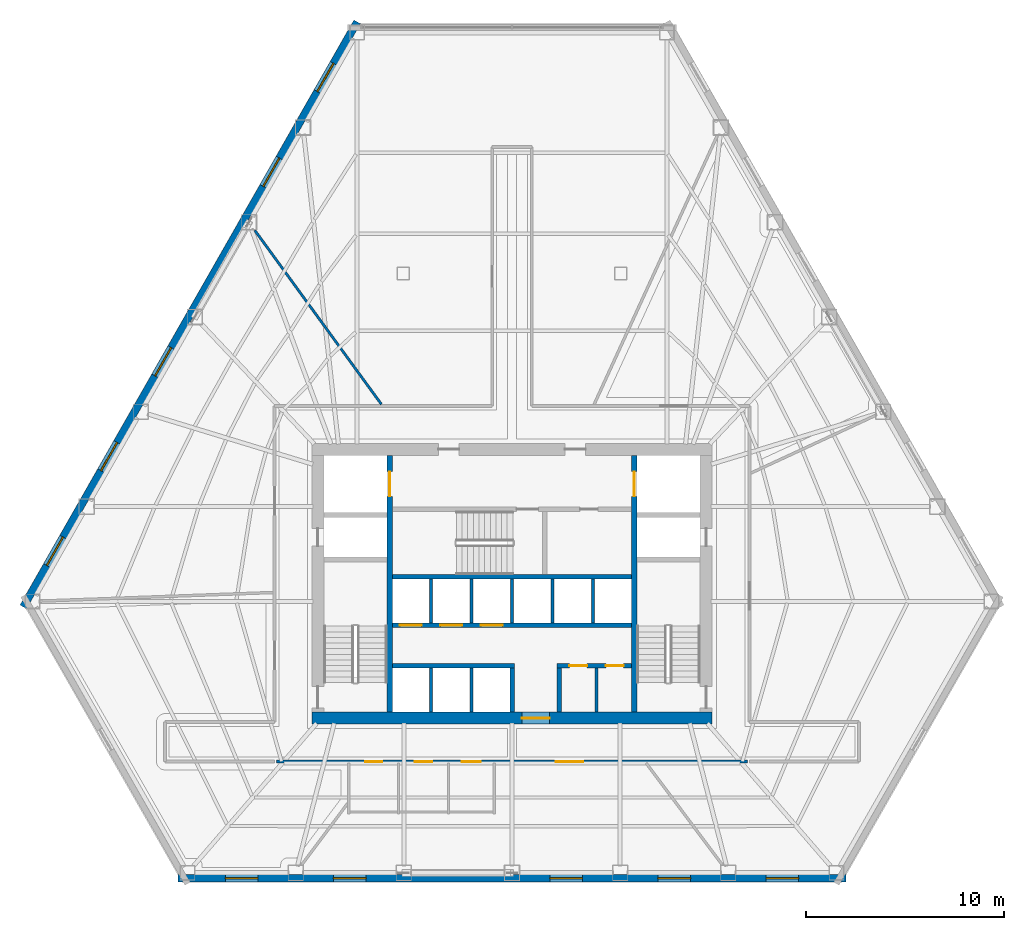
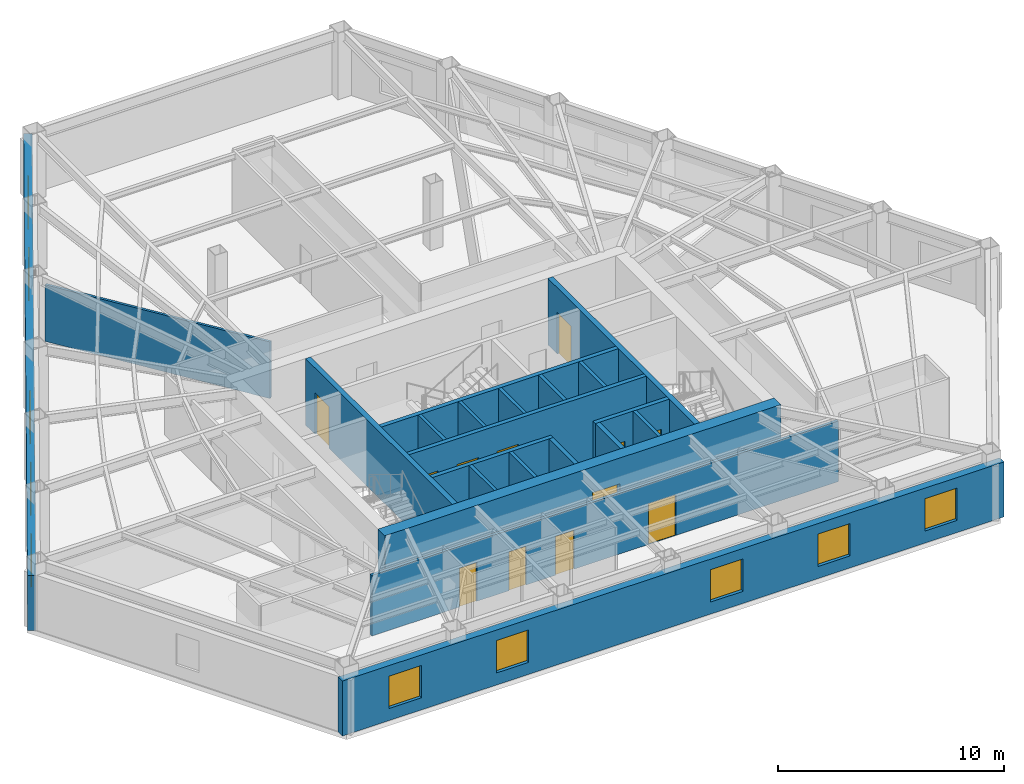
# One storey, part 7 of 12: 21 walls, 12 doors, 10 windows, 22 openings.
"""IFC4 building model written with IfcOpenShell, lengths in metres."""

import ifcopenshell
import ifcopenshell.guid

model = None  # the IFC model being written
_history = None  # IfcOwnerHistory: only IFC2X3 demands one
_inside = {}  # id of a spatial element -> (the spatial element, [elements in it])
_under = {}  # id of a project, library or spatial element -> (it, [spatial elements below it])
_declared = {}  # id of a project -> (the project, [libraries it declares])
_typed = {}  # id of a type object -> (the type object, [elements of that type])
_made_of = {}  # id of a material, layer set ... -> (it, [elements and type objects made of it])


def new_model(schema):
    """Start an empty IFC model of exactly this schema.

    Asked for "IFC4X3", IfcOpenShell would pick the latest addendum, in which some entities
    have other attributes; the version numbers below select the first issue.
    IFC2X3 requires an IfcOwnerHistory on every rooted entity: one is made here for all.
    """
    global model, _history
    if schema == "IFC4X3":
        model = ifcopenshell.file(schema_version=(4, 3, 0, 0))
    else:
        model = ifcopenshell.file(schema=schema)
    _inside.clear()
    _under.clear()
    _declared.clear()
    _typed.clear()
    _made_of.clear()
    _history = None
    if model.schema == "IFC2X3":
        org = make("IfcOrganization", Name="unknown")
        user = make(
            "IfcPersonAndOrganization",
            ThePerson=make("IfcPerson", FamilyName="unknown"),
            TheOrganization=org,
        )
        app = make(
            "IfcApplication",
            ApplicationDeveloper=org,
            Version="unknown",
            ApplicationFullName="unknown",
            ApplicationIdentifier="unknown",
        )
        _history = make(
            "IfcOwnerHistory",
            OwningUser=user,
            OwningApplication=app,
            ChangeAction="ADDED",
            CreationDate=0,
        )
    return model


def make(cls, **values):
    """One entity of the class cls with the attributes given. An attribute that is None is left unset."""
    return model.create_entity(
        cls, **{name: value for name, value in values.items() if value is not None}
    )


def rooted(cls, **values):
    """An entity with a GlobalId (a new one), such as an element, a storey or a relation."""
    return make(cls, GlobalId=ifcopenshell.guid.new(), OwnerHistory=_history, **values)


def si_unit(unit_type, name, prefix=None):
    """IfcSIUnit, for example si_unit("LENGTHUNIT", "METRE", prefix="MILLI")."""
    return make("IfcSIUnit", UnitType=unit_type, Prefix=prefix, Name=name)


def assignment(units):
    """IfcUnitAssignment: the units of a project."""
    return None if units is None else make("IfcUnitAssignment", Units=units)


def point(xyz):
    """IfcCartesianPoint."""
    return None if xyz is None else make("IfcCartesianPoint", Coordinates=xyz)


def direction(xyz):
    """IfcDirection."""
    return None if xyz is None else make("IfcDirection", DirectionRatios=xyz)


def frame(location, z_axis=None, x_axis=None):
    """IfcAxis2Placement3D, a coordinate frame: its origin and axes. An axis left out is left unset."""
    return make(
        "IfcAxis2Placement3D",
        Location=point(location),
        Axis=direction(z_axis),
        RefDirection=direction(x_axis),
    )


def frame_2d(location, x_axis=None):
    """IfcAxis2Placement2D, a coordinate frame in the plane: its origin and x axis."""
    return make(
        "IfcAxis2Placement2D", Location=point(location), RefDirection=direction(x_axis)
    )


def origin():
    """The frame at (0, 0, 0) with its axes left unset."""
    return frame((0.0, 0.0, 0.0))


def place(relative_to, where):
    """IfcLocalPlacement: puts the frame where relative to a parent placement (None: the world)."""
    return make(
        "IfcLocalPlacement", PlacementRelTo=relative_to, RelativePlacement=where
    )


def context(
    kind, dimensions, precision=None, world=None, true_north=None, identifier=None
):
    """IfcGeometricRepresentationContext, for example the 3D "Model" context."""
    return make(
        "IfcGeometricRepresentationContext",
        ContextIdentifier=identifier,
        ContextType=kind,
        CoordinateSpaceDimension=dimensions,
        Precision=precision,
        WorldCoordinateSystem=world,
        TrueNorth=true_north,
    )


def subcontext(parent, identifier, kind, view, scale=None):
    """IfcGeometricRepresentationSubContext, for example "Body" below "Model"."""
    return make(
        "IfcGeometricRepresentationSubContext",
        ContextIdentifier=identifier,
        ContextType=kind,
        ParentContext=parent,
        TargetScale=scale,
        TargetView=view,
    )


def project(units=None, contexts=None):
    """IfcProject with its units and contexts."""
    return rooted(
        "IfcProject",
        Name="project",
        RepresentationContexts=contexts,
        UnitsInContext=assignment(units),
    )


def spatial(cls, under=None, at=None, **own):
    """A site, building, storey or space (cls), placed at a placement, below another one or the project."""
    s = rooted(cls, ObjectPlacement=at, **own)
    if under is not None:
        _under.setdefault(under.id(), (under, []))[1].append(s)
    return s


def profile(cls, at=None, kind="AREA", **sizes):
    """A parametric profile (cls). Its sizes go by their IFC names, for example OverallWidth=200.0."""
    return make(cls, ProfileType=kind, Position=at, **sizes)


def rectangle(**sizes):
    """IfcRectangleProfileDef."""
    return profile("IfcRectangleProfileDef", **sizes)


def extrude(swept, where, along, depth):
    """IfcExtrudedAreaSolid: the profile swept, set in the frame where, extruded along a direction by depth."""
    return make(
        "IfcExtrudedAreaSolid",
        SweptArea=swept,
        Position=where,
        ExtrudedDirection=direction(along),
        Depth=depth,
    )


def shape(context_of_items, identifier, shape_type, items):
    """IfcShapeRepresentation: the items that make up one representation, for example the "Body"."""
    return make(
        "IfcShapeRepresentation",
        ContextOfItems=context_of_items,
        RepresentationIdentifier=identifier,
        RepresentationType=shape_type,
        Items=items,
    )


def material(Name=None, Category=None):
    """IfcMaterial."""
    return make("IfcMaterial", Name=Name, Category=Category)


def layer(
    of_material, thickness, ventilated=None, Name=None, Category=None, Priority=None
):
    """IfcMaterialLayer: one layer of a wall or slab, of a material (None: an air gap)."""
    return make(
        "IfcMaterialLayer",
        Material=of_material,
        LayerThickness=thickness,
        IsVentilated=ventilated,
        Name=Name,
        Category=Category,
        Priority=Priority,
    )


def layer_set(layers, Name=None):
    """IfcMaterialLayerSet."""
    return make("IfcMaterialLayerSet", MaterialLayers=layers, LayerSetName=Name)


def made_of(thing, what):
    """Note that an element or type object is made of a material, layer set ...; save() writes the relation."""
    if what is not None:
        _made_of.setdefault(what.id(), (what, []))[1].append(thing)
    return thing


def type_object(cls, material=None, **own):
    """A type object (cls), such as IfcWallType, which elements share."""
    return made_of(rooted(cls, **own), material)


def element(
    cls,
    number,
    at=None,
    inside=None,
    cuts=None,
    type_object=None,
    material=None,
    context=None,
    identifier="Body",
    shape_type=None,
    held_by="IfcProductDefinitionShape",
    body=None,
    shapes=None,
    **own,
):
    """One element of the class cls, such as IfcWall. Its Tag is "e" and its number.

    at: its placement. inside: the storey or other place that contains it. cuts: it is an
    opening in that element (IfcRelVoidsElement). A single representation is given by context,
    identifier, shape_type and body (its items); several are given by shapes. held_by: the class
    of the entity that holds the representations. save() writes the other relations.
    """
    e = rooted(cls, Tag="e%d" % number, ObjectPlacement=at, **own)
    if body is not None:
        shapes = [shape(context, identifier, shape_type, body)]
    if shapes is not None:
        e.Representation = make(held_by, Representations=shapes)
    if inside is not None:
        _inside.setdefault(inside.id(), (inside, []))[1].append(e)
    if cuts is not None:
        rooted(
            "IfcRelVoidsElement", RelatingBuildingElement=cuts, RelatedOpeningElement=e
        )
    if type_object is not None:
        _typed.setdefault(type_object.id(), (type_object, []))[1].append(e)
    return made_of(e, material)


def fill(opening, filler):
    """IfcRelFillsElement: the door or window that sits in an opening."""
    return rooted(
        "IfcRelFillsElement",
        RelatingOpeningElement=opening,
        RelatedBuildingElement=filler,
    )


def aggregate(whole, parts):
    """IfcRelAggregates: a whole, such as a stair, and the parts it consists of."""
    return rooted("IfcRelAggregates", RelatingObject=whole, RelatedObjects=parts)


def save(model, path):
    """Write the relations noted so far, then the file.

    IfcRelAggregates (storeys below a building ...), IfcRelContainedInSpatialStructure (elements
    in a storey), IfcRelDefinesByType, IfcRelAssociatesMaterial and IfcRelDeclares: one each for
    every whole, place, type object, material and project.
    """
    for whole, parts in _under.values():
        aggregate(whole, parts)
    for where, things in _inside.values():
        rooted(
            "IfcRelContainedInSpatialStructure",
            RelatedElements=things,
            RelatingStructure=where,
        )
    for kind, things in _typed.values():
        rooted("IfcRelDefinesByType", RelatedObjects=things, RelatingType=kind)
    for what, things in _made_of.values():
        rooted("IfcRelAssociatesMaterial", RelatedObjects=things, RelatingMaterial=what)
    for by, libraries in _declared.values():
        rooted("IfcRelDeclares", RelatingContext=by, RelatedDefinitions=libraries)
    model.write(path)


model = new_model("IFC4")

# Units and contexts
model_context = context("Model", 3, precision=1e-05, world=origin(), true_north=direction((0.0, 1.0)))
body_context = subcontext(model_context, "Body", "Model", "MODEL_VIEW")
ifc_project = project(units=[si_unit("LENGTHUNIT", "METRE"), si_unit("AREAUNIT", "SQUARE_METRE"), si_unit("VOLUMEUNIT", "CUBIC_METRE"), si_unit("PLANEANGLEUNIT", "RADIAN"), si_unit("MASSUNIT", "GRAM", prefix="KILO")], contexts=[model_context])

# Site, building, storey
site_placement = place(None, origin())
site = spatial("IfcSite", under=ifc_project, at=site_placement, CompositionType="ELEMENT")
building_placement = place(site_placement, origin())
building = spatial("IfcBuilding", under=site, at=building_placement, Name="Kavelnor Concourse Tower", CompositionType="ELEMENT")
storey_placement = place(building_placement, frame((0.0, 0.0, 21.39990234375)))
storey = spatial("IfcBuildingStorey", under=building, at=storey_placement, Name="L05", CompositionType="ELEMENT", Elevation=21.39990234375)

# Wall, opening, door
ifc_material_1 = material(Name="Concrete C60/75", Category="concrete")
ifc_layer_1 = layer(ifc_material_1, 0.60009765625, Name="Concrete C60/75")
ifc_layer_set_1 = layer_set([ifc_layer_1], Name="Concrete C60/75")
wall_type_1 = type_object("IfcWallType", Name="WL-CORE-Z1-600", PredefinedType="SOLIDWALL", material=ifc_layer_set_1)
wall_1_placement = place(storey_placement, frame((27.8798828125, 9.300048828125, 0.0), z_axis=(0.0, 0.0, 1.0), x_axis=(1.0, 0.0, 0.0)))
wall_1 = element("IfcWall", 1, at=wall_1_placement, inside=storey, type_object=wall_type_1, Name="L05 Central Core South Shear Wall", PredefinedType="SOLIDWALL", context=body_context, shape_type="SweptSolid", body=[
    extrude(rectangle(XDim=20.240234375, YDim=0.60009765625, at=frame_2d((10.1201171875, 0.0))), origin(), (0.0, 0.0, 1.0), 3.590087890625),
])
opening_1_placement = place(wall_1_placement, frame((10.6201171875, 0.0, 0.0)))
opening_1 = element("IfcOpeningElement", 2, at=opening_1_placement, cuts=wall_1, Name="Opening SD-140", PredefinedType="OPENING", context=body_context, shape_type="SweptSolid", body=[
    extrude(rectangle(XDim=1.39990234375, YDim=2.199951171875, at=frame_2d((0.699951171875, 1.10009765625))), frame((0.0, 0.31005859375, 0.0), z_axis=(0.0, -1.0, 0.0), x_axis=(1.0, 0.0, 0.0)), (0.0, 0.0, 1.0), 0.6201171875),
])
ifc_material_2 = material(Name="Solid-core hardwood timber", Category="wood")
door_type_1 = type_object("IfcDoorType", Name="DR-SUITE-ENTRY-1400", OperationType="NOTDEFINED", PredefinedType="DOOR", material=ifc_material_2)
door_1_placement = place(opening_1_placement, origin())
door_1 = element("IfcDoor", 3, at=door_1_placement, inside=storey, type_object=door_type_1, Name="L05 Passenger Lift Lobby Entry Door", OperationType="SINGLE_SWING_RIGHT", OverallHeight=2.199951171875, OverallWidth=1.39990234375, PredefinedType="DOOR", context=body_context, shape_type="SweptSolid", body=[
    extrude(rectangle(XDim=1.39990234375, YDim=2.199951171875, at=frame_2d((0.699951171875, 1.10009765625))), frame((0.0, 0.02490234375, 0.0), z_axis=(0.0, -1.0, 0.0), x_axis=(1.0, 0.0, 0.0)), (0.0, 0.0, 1.0), 0.050048828125),
])
fill(opening_1, door_1)

# Wall, openings, windows
ifc_material_3 = material(Name="Red-ochre clay face brick masonry", Category="masonry")
ifc_layer_2 = layer(ifc_material_3, 0.3798828125, Name="Red-ochre clay face brick masonry")
ifc_layer_set_2 = layer_set([ifc_layer_2], Name="Red-ochre clay face brick masonry")
wall_type_2 = type_object("IfcWallType", Name="WL-EXT-RED-BRICK-PIER-380", PredefinedType="STANDARD", material=ifc_layer_set_2)
wall_2_placement = place(storey_placement, frame((13.26318359375, 14.928466796875, 0.0), z_axis=(0.0, 0.0, 1.0), x_axis=(0.495711630902, 0.868487178367, 0.0)))
wall_2 = element("IfcWall", 4, at=wall_2_placement, inside=storey, type_object=wall_type_2, Name="L05 Exterior Brick Facade Wall E1", PredefinedType="STANDARD", context=body_context, shape_type="SweptSolid", body=[
    extrude(rectangle(XDim=34.09228515625, YDim=0.3798828125, at=frame_2d((17.046142578125, 0.0))), origin(), (0.0, 0.0, 1.0), 2.97021484375),
])
opening_2_placement = place(wall_2_placement, frame((30.02685546875, 0.0, 0.64990234375)))
opening_2 = element("IfcOpeningElement", 5, at=opening_2_placement, cuts=wall_2, Name="Opening W-01", PredefinedType="OPENING", context=body_context, shape_type="SweptSolid", body=[
    extrude(rectangle(XDim=1.64990234375, YDim=1.75, at=frame_2d((0.824951171875, 0.875))), frame((0.0, 0.199951171875, 0.0), z_axis=(0.0, -1.0, 0.0), x_axis=(1.0, 0.0, 0.0)), (0.0, 0.0, 1.0), 0.39990234375),
])
opening_3_placement = place(wall_2_placement, frame((24.503662109375, 0.0, 0.64990234375)))
opening_3 = element("IfcOpeningElement", 6, at=opening_3_placement, cuts=wall_2, Name="Opening W-01", PredefinedType="OPENING", context=body_context, shape_type="SweptSolid", body=[
    extrude(rectangle(XDim=1.64990234375, YDim=1.75, at=frame_2d((0.824951171875, 0.875))), frame((0.0, 0.199951171875, 0.0), z_axis=(0.0, -1.0, 0.0), x_axis=(1.0, 0.0, 0.0)), (0.0, 0.0, 1.0), 0.39990234375),
])
opening_4_placement = place(wall_2_placement, frame((13.45703125, 0.0, 0.64990234375)))
opening_4 = element("IfcOpeningElement", 7, at=opening_4_placement, cuts=wall_2, Name="Opening W-01", PredefinedType="OPENING", context=body_context, shape_type="SweptSolid", body=[
    extrude(rectangle(XDim=1.64990234375, YDim=1.75, at=frame_2d((0.824951171875, 0.875))), frame((0.0, 0.199951171875, 0.0), z_axis=(0.0, -1.0, 0.0), x_axis=(1.0, 0.0, 0.0)), (0.0, 0.0, 1.0), 0.39990234375),
])
opening_5_placement = place(wall_2_placement, frame((7.933837890625, 0.0, 0.64990234375)))
opening_5 = element("IfcOpeningElement", 8, at=opening_5_placement, cuts=wall_2, Name="Opening W-01", PredefinedType="OPENING", context=body_context, shape_type="SweptSolid", body=[
    extrude(rectangle(XDim=1.64990234375, YDim=1.75, at=frame_2d((0.824951171875, 0.875))), frame((0.0, 0.199951171875, 0.0), z_axis=(0.0, -1.0, 0.0), x_axis=(1.0, 0.0, 0.0)), (0.0, 0.0, 1.0), 0.39990234375),
])
opening_6_placement = place(wall_2_placement, frame((2.41064453125, 0.0, 0.64990234375)))
opening_6 = element("IfcOpeningElement", 9, at=opening_6_placement, cuts=wall_2, Name="Opening W-01", PredefinedType="OPENING", context=body_context, shape_type="SweptSolid", body=[
    extrude(rectangle(XDim=1.64990234375, YDim=1.75, at=frame_2d((0.824951171875, 0.875))), frame((0.0, 0.199951171875, 0.0), z_axis=(0.0, -1.0, 0.0), x_axis=(1.0, 0.0, 0.0)), (0.0, 0.0, 1.0), 0.39990234375),
])
ifc_material_4 = material(Name="Double low-E argon insulated glazing", Category="glass")
window_type = type_object("IfcWindowType", Name="WIN-PIER-Z1-1800", PartitioningType="SINGLE_PANEL", PredefinedType="WINDOW", material=ifc_material_4)
window_1_placement = place(opening_2_placement, origin())
window_1 = element("IfcWindow", 10, at=window_1_placement, inside=storey, type_object=window_type, Name="L05 Deep-Set Brick Pier Window F0-B0", OverallHeight=1.75, OverallWidth=1.64990234375, PartitioningType="SINGLE_PANEL", PredefinedType="WINDOW", context=body_context, shape_type="SweptSolid", body=[
    extrude(rectangle(XDim=1.64990234375, YDim=1.75, at=frame_2d((0.824951171875, 0.875))), frame((0.0, 0.030029296875, 0.0), z_axis=(0.0, -1.0, 0.0), x_axis=(1.0, 0.0, 0.0)), (0.0, 0.0, 1.0), 0.06005859375),
])
fill(opening_2, window_1)
window_2_placement = place(opening_3_placement, origin())
window_2 = element("IfcWindow", 11, at=window_2_placement, inside=storey, type_object=window_type, Name="L05 Deep-Set Brick Pier Window F0-B1", OverallHeight=1.75, OverallWidth=1.64990234375, PartitioningType="SINGLE_PANEL", PredefinedType="WINDOW", context=body_context, shape_type="SweptSolid", body=[
    extrude(rectangle(XDim=1.64990234375, YDim=1.75, at=frame_2d((0.824951171875, 0.875))), frame((0.0, 0.030029296875, 0.0), z_axis=(0.0, -1.0, 0.0), x_axis=(1.0, 0.0, 0.0)), (0.0, 0.0, 1.0), 0.06005859375),
])
fill(opening_3, window_2)
window_3_placement = place(opening_4_placement, origin())
window_3 = element("IfcWindow", 12, at=window_3_placement, inside=storey, type_object=window_type, Name="L05 Deep-Set Brick Pier Window F0-B3", OverallHeight=1.75, OverallWidth=1.64990234375, PartitioningType="SINGLE_PANEL", PredefinedType="WINDOW", context=body_context, shape_type="SweptSolid", body=[
    extrude(rectangle(XDim=1.64990234375, YDim=1.75, at=frame_2d((0.824951171875, 0.875))), frame((0.0, 0.030029296875, 0.0), z_axis=(0.0, -1.0, 0.0), x_axis=(1.0, 0.0, 0.0)), (0.0, 0.0, 1.0), 0.06005859375),
])
fill(opening_4, window_3)
window_4_placement = place(opening_5_placement, origin())
window_4 = element("IfcWindow", 13, at=window_4_placement, inside=storey, type_object=window_type, Name="L05 Deep-Set Brick Pier Window F0-B4", OverallHeight=1.75, OverallWidth=1.64990234375, PartitioningType="SINGLE_PANEL", PredefinedType="WINDOW", context=body_context, shape_type="SweptSolid", body=[
    extrude(rectangle(XDim=1.64990234375, YDim=1.75, at=frame_2d((0.824951171875, 0.875))), frame((0.0, 0.030029296875, 0.0), z_axis=(0.0, -1.0, 0.0), x_axis=(1.0, 0.0, 0.0)), (0.0, 0.0, 1.0), 0.06005859375),
])
fill(opening_5, window_4)
window_5_placement = place(opening_6_placement, origin())
window_5 = element("IfcWindow", 14, at=window_5_placement, inside=storey, type_object=window_type, Name="L05 Deep-Set Brick Pier Window F0-B5", OverallHeight=1.75, OverallWidth=1.64990234375, PartitioningType="SINGLE_PANEL", PredefinedType="WINDOW", context=body_context, shape_type="SweptSolid", body=[
    extrude(rectangle(XDim=1.64990234375, YDim=1.75, at=frame_2d((0.824951171875, 0.875))), frame((0.0, 0.030029296875, 0.0), z_axis=(0.0, -1.0, 0.0), x_axis=(1.0, 0.0, 0.0)), (0.0, 0.0, 1.0), 0.06005859375),
])
fill(opening_6, window_5)

wall_3_placement = place(storey_placement, frame((54.90185546875, 1.19287109375, 0.0), z_axis=(0.0, 0.0, 1.0), x_axis=(-1.0, 0.0, 0.0)))
wall_3 = element("IfcWall", 15, at=wall_3_placement, inside=storey, type_object=wall_type_2, Name="L05 Exterior Brick Facade Wall E3", PredefinedType="STANDARD", context=body_context, shape_type="SweptSolid", body=[
    extrude(rectangle(XDim=33.8037109375, YDim=0.3798828125, at=frame_2d((16.90185546875, 0.0))), origin(), (0.0, 0.0, 1.0), 2.97021484375),
])
opening_7_placement = place(wall_3_placement, frame((29.7626953125, 0.0, 0.64990234375)))
opening_7 = element("IfcOpeningElement", 16, at=opening_7_placement, cuts=wall_3, Name="Opening W-01", PredefinedType="OPENING", context=body_context, shape_type="SweptSolid", body=[
    extrude(rectangle(XDim=1.64990234375, YDim=1.75, at=frame_2d((0.824951171875, 0.875))), frame((0.0, 0.199951171875, 0.0), z_axis=(0.0, -1.0, 0.0), x_axis=(1.0, 0.0, 0.0)), (0.0, 0.0, 1.0), 0.39990234375),
])
opening_8_placement = place(wall_3_placement, frame((24.288330078125, 0.0, 0.64990234375)))
opening_8 = element("IfcOpeningElement", 17, at=opening_8_placement, cuts=wall_3, Name="Opening W-01", PredefinedType="OPENING", context=body_context, shape_type="SweptSolid", body=[
    extrude(rectangle(XDim=1.64990234375, YDim=1.75, at=frame_2d((0.824951171875, 0.875))), frame((0.0, 0.199951171875, 0.0), z_axis=(0.0, -1.0, 0.0), x_axis=(1.0, 0.0, 0.0)), (0.0, 0.0, 1.0), 0.39990234375),
])
opening_9_placement = place(wall_3_placement, frame((13.339599609375, 0.0, 0.64990234375)))
opening_9 = element("IfcOpeningElement", 18, at=opening_9_placement, cuts=wall_3, Name="Opening W-01", PredefinedType="OPENING", context=body_context, shape_type="SweptSolid", body=[
    extrude(rectangle(XDim=1.64990234375, YDim=1.75, at=frame_2d((0.824951171875, 0.875))), frame((0.0, 0.199951171875, 0.0), z_axis=(0.0, -1.0, 0.0), x_axis=(1.0, 0.0, 0.0)), (0.0, 0.0, 1.0), 0.39990234375),
])
opening_10_placement = place(wall_3_placement, frame((7.865234375, 0.0, 0.64990234375)))
opening_10 = element("IfcOpeningElement", 19, at=opening_10_placement, cuts=wall_3, Name="Opening W-01", PredefinedType="OPENING", context=body_context, shape_type="SweptSolid", body=[
    extrude(rectangle(XDim=1.64990234375, YDim=1.75, at=frame_2d((0.824951171875, 0.875))), frame((0.0, 0.199951171875, 0.0), z_axis=(0.0, -1.0, 0.0), x_axis=(1.0, 0.0, 0.0)), (0.0, 0.0, 1.0), 0.39990234375),
])
opening_11_placement = place(wall_3_placement, frame((2.390869140625, 0.0, 0.64990234375)))
opening_11 = element("IfcOpeningElement", 20, at=opening_11_placement, cuts=wall_3, Name="Opening W-01", PredefinedType="OPENING", context=body_context, shape_type="SweptSolid", body=[
    extrude(rectangle(XDim=1.64990234375, YDim=1.75, at=frame_2d((0.824951171875, 0.875))), frame((0.0, 0.199951171875, 0.0), z_axis=(0.0, -1.0, 0.0), x_axis=(1.0, 0.0, 0.0)), (0.0, 0.0, 1.0), 0.39990234375),
])
window_6_placement = place(opening_7_placement, origin())
window_6 = element("IfcWindow", 21, at=window_6_placement, inside=storey, type_object=window_type, Name="L05 Deep-Set Brick Pier Window F1-B0", OverallHeight=1.75, OverallWidth=1.64990234375, PartitioningType="SINGLE_PANEL", PredefinedType="WINDOW", context=body_context, shape_type="SweptSolid", body=[
    extrude(rectangle(XDim=1.64990234375, YDim=1.75, at=frame_2d((0.824951171875, 0.875))), frame((0.0, 0.030029296875, 0.0), z_axis=(0.0, -1.0, 0.0), x_axis=(1.0, 0.0, 0.0)), (0.0, 0.0, 1.0), 0.06005859375),
])
fill(opening_7, window_6)
window_7_placement = place(opening_8_placement, origin())
window_7 = element("IfcWindow", 22, at=window_7_placement, inside=storey, type_object=window_type, Name="L05 Deep-Set Brick Pier Window F1-B1", OverallHeight=1.75, OverallWidth=1.64990234375, PartitioningType="SINGLE_PANEL", PredefinedType="WINDOW", context=body_context, shape_type="SweptSolid", body=[
    extrude(rectangle(XDim=1.64990234375, YDim=1.75, at=frame_2d((0.824951171875, 0.875))), frame((0.0, 0.030029296875, 0.0), z_axis=(0.0, -1.0, 0.0), x_axis=(1.0, 0.0, 0.0)), (0.0, 0.0, 1.0), 0.06005859375),
])
fill(opening_8, window_7)
window_8_placement = place(opening_9_placement, origin())
window_8 = element("IfcWindow", 23, at=window_8_placement, inside=storey, type_object=window_type, Name="L05 Deep-Set Brick Pier Window F1-B3", OverallHeight=1.75, OverallWidth=1.64990234375, PartitioningType="SINGLE_PANEL", PredefinedType="WINDOW", context=body_context, shape_type="SweptSolid", body=[
    extrude(rectangle(XDim=1.64990234375, YDim=1.75, at=frame_2d((0.824951171875, 0.875))), frame((0.0, 0.030029296875, 0.0), z_axis=(0.0, -1.0, 0.0), x_axis=(1.0, 0.0, 0.0)), (0.0, 0.0, 1.0), 0.06005859375),
])
fill(opening_9, window_8)
window_9_placement = place(opening_10_placement, origin())
window_9 = element("IfcWindow", 24, at=window_9_placement, inside=storey, type_object=window_type, Name="L05 Deep-Set Brick Pier Window F1-B4", OverallHeight=1.75, OverallWidth=1.64990234375, PartitioningType="SINGLE_PANEL", PredefinedType="WINDOW", context=body_context, shape_type="SweptSolid", body=[
    extrude(rectangle(XDim=1.64990234375, YDim=1.75, at=frame_2d((0.824951171875, 0.875))), frame((0.0, 0.030029296875, 0.0), z_axis=(0.0, -1.0, 0.0), x_axis=(1.0, 0.0, 0.0)), (0.0, 0.0, 1.0), 0.06005859375),
])
fill(opening_10, window_9)
window_10_placement = place(opening_11_placement, origin())
window_10 = element("IfcWindow", 25, at=window_10_placement, inside=storey, type_object=window_type, Name="L05 Deep-Set Brick Pier Window F1-B5", OverallHeight=1.75, OverallWidth=1.64990234375, PartitioningType="SINGLE_PANEL", PredefinedType="WINDOW", context=body_context, shape_type="SweptSolid", body=[
    extrude(rectangle(XDim=1.64990234375, YDim=1.75, at=frame_2d((0.824951171875, 0.875))), frame((0.0, 0.030029296875, 0.0), z_axis=(0.0, -1.0, 0.0), x_axis=(1.0, 0.0, 0.0)), (0.0, 0.0, 1.0), 0.06005859375),
])
fill(opening_11, window_10)

# Wall, openings, doors
ifc_material_5 = material(Name="Gypsum plasterboard on light-gauge steel studs", Category="steel")
ifc_layer_3 = layer(ifc_material_5, 0.14501953125, Name="Gypsum plasterboard on light-gauge steel studs")
ifc_layer_set_3 = layer_set([ifc_layer_3], Name="Gypsum plasterboard on light-gauge steel studs")
wall_type_3 = type_object("IfcWallType", Name="WL-INT-CORR-145", PredefinedType="PARTITIONING", material=ifc_layer_set_3)
wall_4_placement = place(storey_placement, frame((49.919921875, 7.10009765625, 0.0), z_axis=(0.0, 0.0, 1.0), x_axis=(-1.0, 0.0, 0.0)))
wall_4 = element("IfcWall", 26, at=wall_4_placement, inside=storey, type_object=wall_type_3, Name="L05 Corridor Wall WL-L05-CR-12", PredefinedType="PARTITIONING", context=body_context, shape_type="SweptSolid", body=[
    extrude(rectangle(XDim=23.83984375, YDim=0.14501953125, at=frame_2d((11.919921875, 0.0))), origin(), (0.0, 0.0, 1.0), 3.278076171875),
])
opening_12_placement = place(wall_4_placement, frame((18.47998046875, 0.0, 0.0)))
opening_12 = element("IfcOpeningElement", 27, at=opening_12_placement, cuts=wall_4, Name="Opening WD-088", PredefinedType="OPENING", context=body_context, shape_type="SweptSolid", body=[
    extrude(rectangle(XDim=0.8798828125, YDim=2.10009765625, at=frame_2d((0.43994140625, 1.050048828125))), frame((0.0, 0.08251953125, 0.0), z_axis=(0.0, -1.0, 0.0), x_axis=(1.0, 0.0, 0.0)), (0.0, 0.0, 1.0), 0.1650390625),
])
opening_13_placement = place(wall_4_placement, frame((15.9599609375, 0.0, 0.0)))
opening_13 = element("IfcOpeningElement", 28, at=opening_13_placement, cuts=wall_4, Name="Opening WD-088", PredefinedType="OPENING", context=body_context, shape_type="SweptSolid", body=[
    extrude(rectangle(XDim=0.8798828125, YDim=2.10009765625, at=frame_2d((0.43994140625, 1.050048828125))), frame((0.0, 0.08251953125, 0.0), z_axis=(0.0, -1.0, 0.0), x_axis=(1.0, 0.0, 0.0)), (0.0, 0.0, 1.0), 0.1650390625),
])
opening_14_placement = place(wall_4_placement, frame((13.5, 0.0, 0.0)))
opening_14 = element("IfcOpeningElement", 29, at=opening_14_placement, cuts=wall_4, Name="Opening WD-096", PredefinedType="OPENING", context=body_context, shape_type="SweptSolid", body=[
    extrude(rectangle(XDim=0.9599609375, YDim=2.10009765625, at=frame_2d((0.47998046875, 1.050048828125))), frame((0.0, 0.08251953125, 0.0), z_axis=(0.0, -1.0, 0.0), x_axis=(1.0, 0.0, 0.0)), (0.0, 0.0, 1.0), 0.1650390625),
])
opening_15_placement = place(wall_4_placement, frame((8.310791015625, 0.0, 0.0)))
opening_15 = element("IfcOpeningElement", 30, at=opening_15_placement, cuts=wall_4, Name="Opening SD-140", PredefinedType="OPENING", context=body_context, shape_type="SweptSolid", body=[
    extrude(rectangle(XDim=1.39990234375, YDim=2.199951171875, at=frame_2d((0.699951171875, 1.10009765625))), frame((0.0, 0.08251953125, 0.0), z_axis=(0.0, -1.0, 0.0), x_axis=(1.0, 0.0, 0.0)), (0.0, 0.0, 1.0), 0.1650390625),
])
door_2_placement = place(opening_15_placement, origin())
door_2 = element("IfcDoor", 31, at=door_2_placement, inside=storey, type_object=door_type_1, Name="L05 Workplace Open Office 05 Door", OperationType="SINGLE_SWING_LEFT", OverallHeight=2.199951171875, OverallWidth=1.39990234375, PredefinedType="DOOR", context=body_context, shape_type="SweptSolid", body=[
    extrude(rectangle(XDim=1.39990234375, YDim=2.199951171875, at=frame_2d((0.699951171875, 1.10009765625))), frame((0.0, 0.02490234375, 0.0), z_axis=(0.0, -1.0, 0.0), x_axis=(1.0, 0.0, 0.0)), (0.0, 0.0, 1.0), 0.050048828125),
])
fill(opening_15, door_2)
door_type_2 = type_object("IfcDoorType", Name="DR-WC-ACC-960", OperationType="NOTDEFINED", PredefinedType="DOOR", material=ifc_material_2)
door_3_placement = place(opening_14_placement, origin())
door_3 = element("IfcDoor", 32, at=door_3_placement, inside=storey, type_object=door_type_2, Name="L05 Accessible WC Door", OperationType="SINGLE_SWING_LEFT", OverallHeight=2.10009765625, OverallWidth=0.9599609375, PredefinedType="DOOR", context=body_context, shape_type="SweptSolid", body=[
    extrude(rectangle(XDim=0.9599609375, YDim=2.10009765625, at=frame_2d((0.47998046875, 1.050048828125))), frame((0.0, 0.02490234375, 0.0), z_axis=(0.0, -1.0, 0.0), x_axis=(1.0, 0.0, 0.0)), (0.0, 0.0, 1.0), 0.050048828125),
])
fill(opening_14, door_3)
door_type_3 = type_object("IfcDoorType", Name="DR-WC-STD-880", OperationType="NOTDEFINED", PredefinedType="DOOR", material=ifc_material_2)
door_4_placement = place(opening_12_placement, origin())
door_4 = element("IfcDoor", 33, at=door_4_placement, inside=storey, type_object=door_type_3, Name="L05 Male WC Door", OperationType="SINGLE_SWING_LEFT", OverallHeight=2.10009765625, OverallWidth=0.8798828125, PredefinedType="DOOR", context=body_context, shape_type="SweptSolid", body=[
    extrude(rectangle(XDim=0.8798828125, YDim=2.10009765625, at=frame_2d((0.43994140625, 1.050048828125))), frame((0.0, 0.02490234375, 0.0), z_axis=(0.0, -1.0, 0.0), x_axis=(1.0, 0.0, 0.0)), (0.0, 0.0, 1.0), 0.050048828125),
])
fill(opening_12, door_4)
door_5_placement = place(opening_13_placement, origin())
door_5 = element("IfcDoor", 34, at=door_5_placement, inside=storey, type_object=door_type_3, Name="L05 Female WC Door", OperationType="SINGLE_SWING_RIGHT", OverallHeight=2.10009765625, OverallWidth=0.8798828125, PredefinedType="DOOR", context=body_context, shape_type="SweptSolid", body=[
    extrude(rectangle(XDim=0.8798828125, YDim=2.10009765625, at=frame_2d((0.43994140625, 1.050048828125))), frame((0.0, 0.02490234375, 0.0), z_axis=(0.0, -1.0, 0.0), x_axis=(1.0, 0.0, 0.0)), (0.0, 0.0, 1.0), 0.050048828125),
])
fill(opening_13, door_5)

# Walls
ifc_layer_4 = layer(ifc_material_5, 0.1650390625, Name="Gypsum plasterboard on light-gauge steel studs")
ifc_layer_set_4 = layer_set([ifc_layer_4], Name="Gypsum plasterboard on light-gauge steel studs")
wall_type_4 = type_object("IfcWallType", Name="WL-INT-FIRE-165", PredefinedType="PARTITIONING", material=ifc_layer_set_4)
for number, where, z_axis, x_axis, name in (
    (35, (33.89990234375, 9.60009765625, 0.0), (0.0, 0.0, 1.0), (0.0, 1.0, 0.0), "L05 Lift Shaft Divider LP7"),
    (36, (35.949951171875, 9.60009765625, 0.0), (0.0, 0.0, 1.0), (0.0, 1.0, 0.0), "L05 Lift Shaft Divider LP8"),
    (37, (33.89990234375, 14.10009765625, 0.0), (0.0, 0.0, 1.0), (0.0, 1.0, 0.0), "L05 Lift Shaft Divider LP1"),
    (38, (35.949951171875, 14.10009765625, 0.0), (0.0, 0.0, 1.0), (0.0, 1.0, 0.0), "L05 Lift Shaft Divider LP2"),
    (39, (38.0, 14.10009765625, 0.0), (0.0, 0.0, 1.0), (0.0, 1.0, 0.0), "L05 Lift Shaft Divider LP3"),
    (40, (40.050048828125, 14.10009765625, 0.0), (0.0, 0.0, 1.0), (0.0, 1.0, 0.0), "L05 Lift Shaft Divider LP4"),
    (41, (42.10009765625, 14.10009765625, 0.0), (0.0, 0.0, 1.0), (0.0, 1.0, 0.0), "L05 Lift Shaft Divider LP5"),
    (42, (42.280029296875, 9.60009765625, 0.0), (0.0, 0.0, 1.0), (0.0, 1.0, 0.0), "L05 Core Support Divider"),
):
    element("IfcWall", number, at=place(storey_placement, frame(where, z_axis=z_axis, x_axis=x_axis)), inside=storey, type_object=wall_type_4, Name=name, PredefinedType="PARTITIONING", context=body_context, shape_type="SweptSolid", body=[
        extrude(rectangle(XDim=2.239990234375, YDim=0.1650390625, at=frame_2d((1.1201171875, 0.0))), origin(), (0.0, 0.0, 1.0), 3.590087890625),
    ])
ifc_layer_5 = layer(ifc_material_5, 0.125, Name="Gypsum plasterboard on light-gauge steel studs")
ifc_layer_set_5 = layer_set([ifc_layer_5], Name="Gypsum plasterboard on light-gauge steel studs")
wall_type_5 = type_object("IfcWallType", Name="WL-INT-SUITE-125", PredefinedType="PARTITIONING", material=ifc_layer_set_5)
wall_5_placement = place(storey_placement, frame((31.390380859375, 25.180419921875, 0.0), z_axis=(0.0, 0.0, 1.0), x_axis=(-0.588482227792, 0.808510153043, 0.0)))
element("IfcWall", 43, at=wall_5_placement, inside=storey, type_object=wall_type_5, Name="L05 Radial Suite Partition 03", PredefinedType="PARTITIONING", context=body_context, shape_type="SweptSolid", body=[
    extrude(rectangle(XDim=10.890625, YDim=0.125, at=frame_2d((5.4453125, 0.0))), origin(), (0.0, 0.0, 1.0), 3.05712890625),
])
ifc_material_6 = material(Name="Concrete C50/60", Category="concrete")
ifc_layer_6 = layer(ifc_material_6, 0.219970703125, Name="Concrete C50/60")
ifc_layer_set_6 = layer_set([ifc_layer_6], Name="Concrete C50/60")
wall_type_6 = type_object("IfcWallType", Name="WL-SHAFT-220", PredefinedType="SOLIDWALL", material=ifc_layer_set_6)
wall_6_placement = place(storey_placement, frame((31.93994140625, 16.449951171875, 0.0), z_axis=(0.0, 0.0, 1.0), x_axis=(1.0, 0.0, 0.0)))
element("IfcWall", 44, at=wall_6_placement, inside=storey, type_object=wall_type_6, Name="L05 Stair ST3 South Core Wall", PredefinedType="SOLIDWALL", context=body_context, shape_type="SweptSolid", body=[
    extrude(rectangle(XDim=12.1201171875, YDim=0.219970703125, at=frame_2d((6.06005859375, 0.0))), origin(), (0.0, 0.0, 1.0), 3.590087890625),
])

# Wall, openings, doors
wall_7_placement = place(storey_placement, frame((31.93994140625, 13.989990234375, 0.0), z_axis=(0.0, 0.0, 1.0), x_axis=(1.0, 0.0, 0.0)))
wall_7 = element("IfcWall", 45, at=wall_7_placement, inside=storey, type_object=wall_type_6, Name="L05 North Lift Row Shaft Wall", PredefinedType="SOLIDWALL", context=body_context, shape_type="SweptSolid", body=[
    extrude(rectangle(XDim=12.1201171875, YDim=0.219970703125, at=frame_2d((6.06005859375, 0.0))), origin(), (0.0, 0.0, 1.0), 3.590087890625),
])
opening_16_placement = place(wall_7_placement, frame((0.385009765625, 0.0, 0.0)))
opening_16 = element("IfcOpeningElement", 46, at=opening_16_placement, cuts=wall_7, Name="Opening LD-110", PredefinedType="OPENING", context=body_context, shape_type="SweptSolid", body=[
    extrude(rectangle(XDim=1.10009765625, YDim=2.199951171875, at=frame_2d((0.550048828125, 1.10009765625))), frame((0.0, 0.1201171875, 0.0), z_axis=(0.0, -1.0, 0.0), x_axis=(1.0, 0.0, 0.0)), (0.0, 0.0, 1.0), 0.239990234375),
])
opening_17_placement = place(wall_7_placement, frame((2.43505859375, 0.0, 0.0)))
opening_17 = element("IfcOpeningElement", 47, at=opening_17_placement, cuts=wall_7, Name="Opening LD-110", PredefinedType="OPENING", context=body_context, shape_type="SweptSolid", body=[
    extrude(rectangle(XDim=1.10009765625, YDim=2.199951171875, at=frame_2d((0.550048828125, 1.10009765625))), frame((0.0, 0.1201171875, 0.0), z_axis=(0.0, -1.0, 0.0), x_axis=(1.0, 0.0, 0.0)), (0.0, 0.0, 1.0), 0.239990234375),
])
opening_18_placement = place(wall_7_placement, frame((4.485107421875, 0.0, 0.0)))
opening_18 = element("IfcOpeningElement", 48, at=opening_18_placement, cuts=wall_7, Name="Opening LD-110", PredefinedType="OPENING", context=body_context, shape_type="SweptSolid", body=[
    extrude(rectangle(XDim=1.10009765625, YDim=2.199951171875, at=frame_2d((0.550048828125, 1.10009765625))), frame((0.0, 0.1201171875, 0.0), z_axis=(0.0, -1.0, 0.0), x_axis=(1.0, 0.0, 0.0)), (0.0, 0.0, 1.0), 0.239990234375),
])
ifc_material_7 = material(Name="Steel Grade 350", Category="steel")
door_type_4 = type_object("IfcDoorType", Name="DR-LIFT-SLIDING-1100", OperationType="NOTDEFINED", PredefinedType="DOOR", material=ifc_material_7)
door_6_placement = place(opening_16_placement, origin())
door_6 = element("IfcDoor", 49, at=door_6_placement, inside=storey, type_object=door_type_4, Name="L05 Lift LP1 Landing Door", OperationType="DOUBLE_DOOR_SLIDING", OverallHeight=2.199951171875, OverallWidth=1.10009765625, PredefinedType="DOOR", context=body_context, shape_type="SweptSolid", body=[
    extrude(rectangle(XDim=1.10009765625, YDim=2.199951171875, at=frame_2d((0.550048828125, 1.10009765625))), frame((0.0, 0.02490234375, 0.0), z_axis=(0.0, -1.0, 0.0), x_axis=(1.0, 0.0, 0.0)), (0.0, 0.0, 1.0), 0.050048828125),
])
fill(opening_16, door_6)
door_7_placement = place(opening_17_placement, origin())
door_7 = element("IfcDoor", 50, at=door_7_placement, inside=storey, type_object=door_type_4, Name="L05 Lift LP2 Landing Door", OperationType="DOUBLE_DOOR_SLIDING", OverallHeight=2.199951171875, OverallWidth=1.10009765625, PredefinedType="DOOR", context=body_context, shape_type="SweptSolid", body=[
    extrude(rectangle(XDim=1.10009765625, YDim=2.199951171875, at=frame_2d((0.550048828125, 1.10009765625))), frame((0.0, 0.02490234375, 0.0), z_axis=(0.0, -1.0, 0.0), x_axis=(1.0, 0.0, 0.0)), (0.0, 0.0, 1.0), 0.050048828125),
])
fill(opening_17, door_7)
door_8_placement = place(opening_18_placement, origin())
door_8 = element("IfcDoor", 51, at=door_8_placement, inside=storey, type_object=door_type_4, Name="L05 Lift LP3 Landing Door", OperationType="DOUBLE_DOOR_SLIDING", OverallHeight=2.199951171875, OverallWidth=1.10009765625, PredefinedType="DOOR", context=body_context, shape_type="SweptSolid", body=[
    extrude(rectangle(XDim=1.10009765625, YDim=2.199951171875, at=frame_2d((0.550048828125, 1.10009765625))), frame((0.0, 0.02490234375, 0.0), z_axis=(0.0, -1.0, 0.0), x_axis=(1.0, 0.0, 0.0)), (0.0, 0.0, 1.0), 0.050048828125),
])
fill(opening_18, door_8)

# Wall
wall_8_placement = place(storey_placement, frame((31.93994140625, 11.949951171875, 0.0), z_axis=(0.0, 0.0, 1.0), x_axis=(1.0, 0.0, 0.0)))
element("IfcWall", 52, at=wall_8_placement, inside=storey, type_object=wall_type_6, Name="L05 High-Rise Lift Bank North Wall", PredefinedType="SOLIDWALL", context=body_context, shape_type="SweptSolid", body=[
    extrude(rectangle(XDim=6.18994140625, YDim=0.219970703125, at=frame_2d((3.094970703125, 0.0))), origin(), (0.0, 0.0, 1.0), 3.590087890625),
])

# Wall, openings, doors
wall_9_placement = place(storey_placement, frame((40.280029296875, 11.949951171875, 0.0), z_axis=(0.0, 0.0, 1.0), x_axis=(1.0, 0.0, 0.0)))
wall_9 = element("IfcWall", 53, at=wall_9_placement, inside=storey, type_object=wall_type_6, Name="L05 Core South Support North Wall", PredefinedType="SOLIDWALL", context=body_context, shape_type="SweptSolid", body=[
    extrude(rectangle(XDim=3.780029296875, YDim=0.219970703125, at=frame_2d((1.89013671875, 0.0))), origin(), (0.0, 0.0, 1.0), 3.590087890625),
])
opening_19_placement = place(wall_9_placement, frame((0.6201171875, 0.0, 0.0)))
opening_19 = element("IfcOpeningElement", 54, at=opening_19_placement, cuts=wall_9, Name="Opening FD-090", PredefinedType="OPENING", context=body_context, shape_type="SweptSolid", body=[
    extrude(rectangle(XDim=0.89990234375, YDim=2.10009765625, at=frame_2d((0.449951171875, 1.050048828125))), frame((0.0, 0.1201171875, 0.0), z_axis=(0.0, -1.0, 0.0), x_axis=(1.0, 0.0, 0.0)), (0.0, 0.0, 1.0), 0.239990234375),
])
opening_20_placement = place(wall_9_placement, frame((2.469970703125, 0.0, 0.0)))
opening_20 = element("IfcOpeningElement", 55, at=opening_20_placement, cuts=wall_9, Name="Opening FD-090", PredefinedType="OPENING", context=body_context, shape_type="SweptSolid", body=[
    extrude(rectangle(XDim=0.89990234375, YDim=2.10009765625, at=frame_2d((0.449951171875, 1.050048828125))), frame((0.0, 0.1201171875, 0.0), z_axis=(0.0, -1.0, 0.0), x_axis=(1.0, 0.0, 0.0)), (0.0, 0.0, 1.0), 0.239990234375),
])
door_type_5 = type_object("IfcDoorType", Name="DR-RISER-FIRE-900", OperationType="NOTDEFINED", PredefinedType="DOOR", material=ifc_material_7)
door_9_placement = place(opening_19_placement, origin())
door_9 = element("IfcDoor", 56, at=door_9_placement, inside=storey, type_object=door_type_5, Name="L05 Cleaner Cupboard Door", OperationType="SINGLE_SWING_RIGHT", OverallHeight=2.10009765625, OverallWidth=0.89990234375, PredefinedType="DOOR", context=body_context, shape_type="SweptSolid", body=[
    extrude(rectangle(XDim=0.89990234375, YDim=2.10009765625, at=frame_2d((0.449951171875, 1.050048828125))), frame((0.0, 0.02490234375, 0.0), z_axis=(0.0, -1.0, 0.0), x_axis=(1.0, 0.0, 0.0)), (0.0, 0.0, 1.0), 0.050048828125),
])
fill(opening_19, door_9)
door_10_placement = place(opening_20_placement, origin())
door_10 = element("IfcDoor", 57, at=door_10_placement, inside=storey, type_object=door_type_5, Name="L05 Supplies Store Door", OperationType="SINGLE_SWING_LEFT", OverallHeight=2.10009765625, OverallWidth=0.89990234375, PredefinedType="DOOR", context=body_context, shape_type="SweptSolid", body=[
    extrude(rectangle(XDim=0.89990234375, YDim=2.10009765625, at=frame_2d((0.449951171875, 1.050048828125))), frame((0.0, 0.02490234375, 0.0), z_axis=(0.0, -1.0, 0.0), x_axis=(1.0, 0.0, 0.0)), (0.0, 0.0, 1.0), 0.050048828125),
])
fill(opening_20, door_10)

# Walls
for number, where, z_axis, x_axis, name in (
    (58, (38.02001953125, 9.60009765625, 0.0), (0.0, 0.0, 1.0), (0.0, 1.0, 0.0), "L05 Lift Lobby Throat West Wall"),
    (59, (40.389892578125, 9.60009765625, 0.0), (0.0, 0.0, 1.0), (0.0, 1.0, 0.0), "L05 Lift Lobby Throat East Wall"),
):
    element("IfcWall", number, at=place(storey_placement, frame(where, z_axis=z_axis, x_axis=x_axis)), inside=storey, type_object=wall_type_6, Name=name, PredefinedType="SOLIDWALL", context=body_context, shape_type="SweptSolid", body=[
        extrude(rectangle(XDim=2.239990234375, YDim=0.219970703125, at=frame_2d((1.1201171875, 0.0))), origin(), (0.0, 0.0, 1.0), 3.590087890625),
    ])

# Wall, opening, door
ifc_layer_7 = layer(ifc_material_6, 0.260009765625, Name="Concrete C50/60")
ifc_layer_set_7 = layer_set([ifc_layer_7], Name="Concrete C50/60")
wall_type_7 = type_object("IfcWallType", Name="WL-SHAFT-260", PredefinedType="SHEAR", material=ifc_layer_set_7)
wall_10_placement = place(storey_placement, frame((31.81005859375, 9.60009765625, 0.0), z_axis=(0.0, 0.0, 1.0), x_axis=(0.0, 1.0, 0.0)))
wall_10 = element("IfcWall", 60, at=wall_10_placement, inside=storey, type_object=wall_type_7, Name="L05 Core West Wing Shear Wall", PredefinedType="SHEAR", context=body_context, shape_type="SweptSolid", body=[
    extrude(rectangle(XDim=13.0, YDim=0.260009765625, at=frame_2d((6.5, 0.0))), origin(), (0.0, 0.0, 1.0), 3.590087890625),
])
opening_21_placement = place(wall_10_placement, frame((10.925048828125, 0.0, 0.0)))
opening_21 = element("IfcOpeningElement", 61, at=opening_21_placement, cuts=wall_10, Name="Opening LD-125", PredefinedType="OPENING", context=body_context, shape_type="SweptSolid", body=[
    extrude(rectangle(XDim=1.25, YDim=2.25, at=frame_2d((0.625, 1.125))), frame((0.0, 0.14013671875, 0.0), z_axis=(0.0, -1.0, 0.0), x_axis=(1.0, 0.0, 0.0)), (0.0, 0.0, 1.0), 0.280029296875),
])
door_type_6 = type_object("IfcDoorType", Name="DR-LIFT-SLIDING-1250", OperationType="NOTDEFINED", PredefinedType="DOOR", material=ifc_material_7)
door_11_placement = place(opening_21_placement, origin())
door_11 = element("IfcDoor", 62, at=door_11_placement, inside=storey, type_object=door_type_6, Name="L05 Emergency Lift FL1 Landing Door", OperationType="DOUBLE_DOOR_SLIDING", OverallHeight=2.25, OverallWidth=1.25, PredefinedType="DOOR", context=body_context, shape_type="SweptSolid", body=[
    extrude(rectangle(XDim=1.25, YDim=2.25, at=frame_2d((0.625, 1.125))), frame((0.0, 0.02490234375, 0.0), z_axis=(0.0, -1.0, 0.0), x_axis=(1.0, 0.0, 0.0)), (0.0, 0.0, 1.0), 0.050048828125),
])
fill(opening_21, door_11)

wall_11_placement = place(storey_placement, frame((44.18994140625, 9.60009765625, 0.0), z_axis=(0.0, 0.0, 1.0), x_axis=(0.0, 1.0, 0.0)))
wall_11 = element("IfcWall", 63, at=wall_11_placement, inside=storey, type_object=wall_type_7, Name="L05 Core East Wing Shear Wall", PredefinedType="SHEAR", context=body_context, shape_type="SweptSolid", body=[
    extrude(rectangle(XDim=13.0, YDim=0.260009765625, at=frame_2d((6.5, 0.0))), origin(), (0.0, 0.0, 1.0), 3.590087890625),
])
opening_22_placement = place(wall_11_placement, frame((10.925048828125, 0.0, 0.0)))
opening_22 = element("IfcOpeningElement", 64, at=opening_22_placement, cuts=wall_11, Name="Opening LD-125", PredefinedType="OPENING", context=body_context, shape_type="SweptSolid", body=[
    extrude(rectangle(XDim=1.25, YDim=2.25, at=frame_2d((0.625, 1.125))), frame((0.0, 0.14013671875, 0.0), z_axis=(0.0, -1.0, 0.0), x_axis=(1.0, 0.0, 0.0)), (0.0, 0.0, 1.0), 0.280029296875),
])
door_12_placement = place(opening_22_placement, origin())
door_12 = element("IfcDoor", 65, at=door_12_placement, inside=storey, type_object=door_type_6, Name="L05 Emergency Lift FL2 Landing Door", OperationType="DOUBLE_DOOR_SLIDING", OverallHeight=2.25, OverallWidth=1.25, PredefinedType="DOOR", context=body_context, shape_type="SweptSolid", body=[
    extrude(rectangle(XDim=1.25, YDim=2.25, at=frame_2d((0.625, 1.125))), frame((0.0, 0.02490234375, 0.0), z_axis=(0.0, -1.0, 0.0), x_axis=(1.0, 0.0, 0.0)), (0.0, 0.0, 1.0), 0.050048828125),
])
fill(opening_22, door_12)

save(model, "model.ifc")
